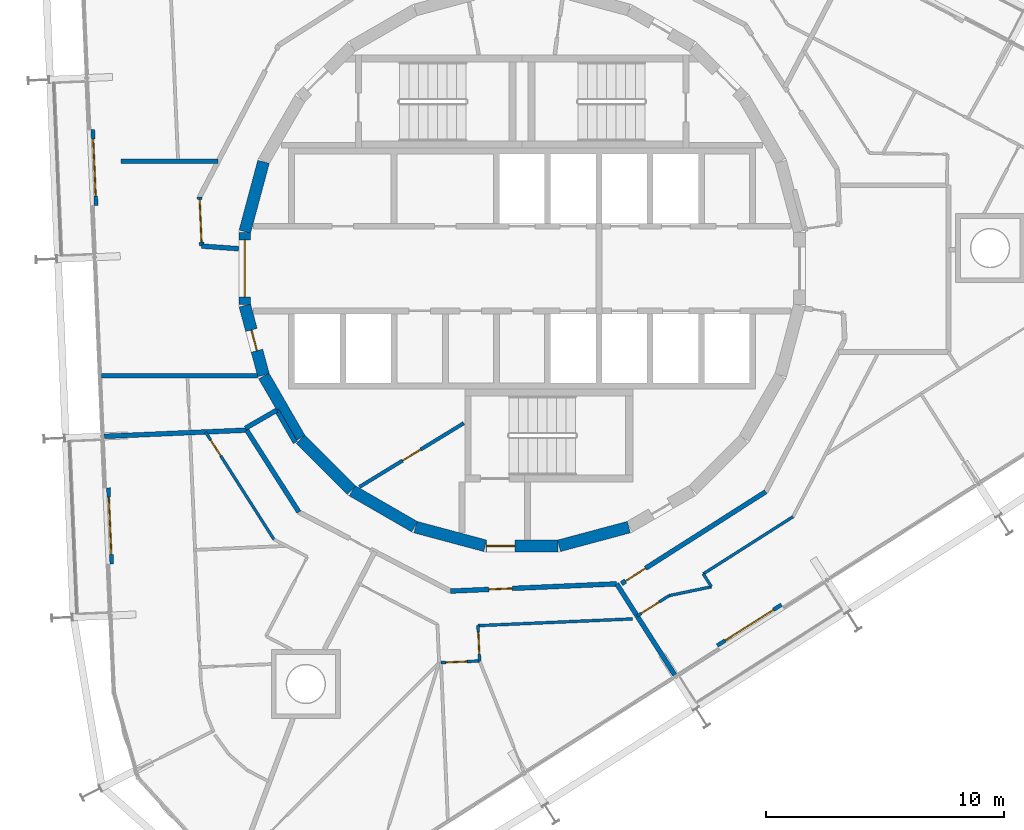
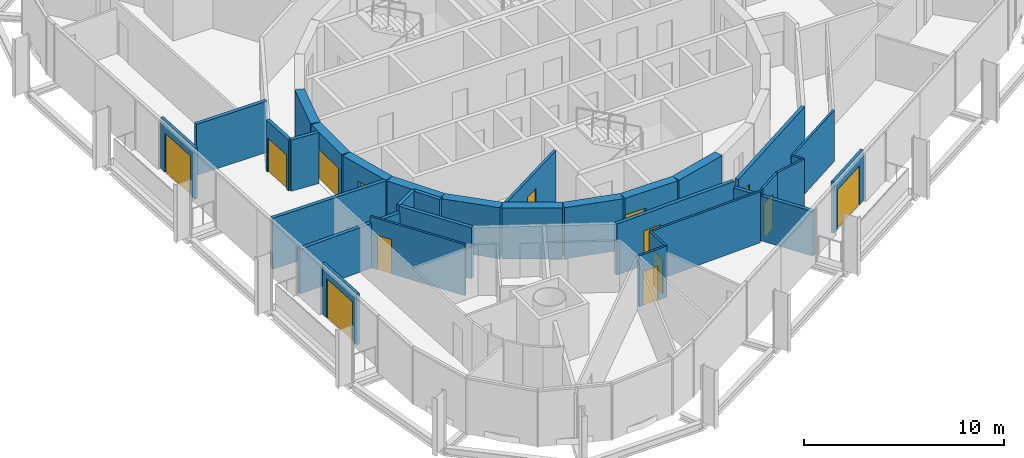
# One storey, part 12 of 17: 32 walls, 14 doors, 14 openings.
"""IFC4 building model written with IfcOpenShell, lengths in metres."""

from ifc_helpers import new_model, si_unit, direction, frame, frame_2d, origin, place, context, subcontext, project, spatial, rectangle, extrude, material, layer, layer_set, type_object, element, fill, save


model = new_model("IFC4")

# Units and contexts
model_context = context("Model", 3, precision=1e-05, world=origin(), true_north=direction((0.0, 1.0)))
body_context = subcontext(model_context, "Body", "Model", "MODEL_VIEW")
ifc_project = project(units=[si_unit("LENGTHUNIT", "METRE"), si_unit("AREAUNIT", "SQUARE_METRE"), si_unit("VOLUMEUNIT", "CUBIC_METRE"), si_unit("PLANEANGLEUNIT", "RADIAN"), si_unit("MASSUNIT", "GRAM", prefix="KILO")], contexts=[model_context])

# Site, building, storey
site_placement = place(None, origin())
site = spatial("IfcSite", under=ifc_project, at=site_placement, CompositionType="ELEMENT")
building_placement = place(site_placement, origin())
building = spatial("IfcBuilding", under=site, at=building_placement, Name="Spindle Arch Residences", CompositionType="ELEMENT")
storey_placement = place(building_placement, frame((0.0, 0.0, 237.199951171875)))
storey = spatial("IfcBuildingStorey", under=building, at=storey_placement, Name="L60", CompositionType="ELEMENT", Elevation=237.199951171875)

# Walls
ifc_material_1 = material(Name="Concrete C50/60", Category="concrete")
ifc_layer_1 = layer(ifc_material_1, 0.5)
ifc_layer_set_1 = layer_set([ifc_layer_1], Name="Core outline wall 500")
wall_type_1 = type_object("IfcWallType", Name="Core outline wall 500", PredefinedType="SHEAR", material=ifc_layer_set_1)
for number, where, z_axis, x_axis, name in (
    (1, (1.5498046875, -11.642822265625, 0.0), (0.0, 0.0, 1.0), (0.965948410781, 0.258734743916, 0.0), "Core outline wall 1"),
    (2, (-10.858154296875, 4.479248046875, 0.0), (0.0, 0.0, 1.0), (-0.258734743916, -0.965948410781, 0.0), "Core outline wall 17"),
):
    element("IfcWall", number, at=place(storey_placement, frame(where, z_axis=z_axis, x_axis=x_axis)), inside=storey, type_object=wall_type_1, Name=name, PredefinedType="SHEAR", context=body_context, shape_type="SweptSolid", body=[
        extrude(rectangle(XDim=3.03271484375, YDim=0.5, at=frame_2d((1.516357421875, 0.0))), origin(), (0.0, 0.0, 1.0), 3.1201171875),
    ])

# Wall, opening, door
wall_1_placement = place(storey_placement, frame((-11.647216796875, 1.516357421875, 0.0), z_axis=(0.0, 0.0, 1.0), x_axis=(0.0, -1.0, 0.0)))
wall_1 = element("IfcWall", 3, at=wall_1_placement, inside=storey, type_object=wall_type_1, Name="Core outline wall 18", PredefinedType="SHEAR", context=body_context, shape_type="SweptSolid", body=[
    extrude(rectangle(XDim=3.03271484375, YDim=0.5, at=frame_2d((1.516357421875, 0.0))), origin(), (0.0, 0.0, 1.0), 3.1201171875),
])
opening_1_placement = place(wall_1_placement, frame((0.31640625, 0.0, 0.0)))
opening_1 = element("IfcOpeningElement", 4, at=opening_1_placement, cuts=wall_1, Name="Opening R6B1-LE01", PredefinedType="OPENING", context=body_context, shape_type="SweptSolid", body=[
    extrude(rectangle(XDim=2.39990234375, YDim=2.10009765625, at=frame_2d((1.199951171875, 1.050048828125))), frame((0.0, 0.260009765625, 0.0), z_axis=(0.0, -1.0, 0.0), x_axis=(1.0, 0.0, 0.0)), (0.0, 0.0, 1.0), 0.52001953125),
])
ifc_material_2 = material(Name="Steel, fire-resisting door", Category="steel")
door_type_1 = type_object("IfcDoorType", Name="Lift lobby entrance door 2400x2100", OperationType="DOUBLE_DOOR_SINGLE_SWING", PredefinedType="DOOR", material=ifc_material_2)
door_1_placement = place(opening_1_placement, origin())
door_1 = element("IfcDoor", 5, at=door_1_placement, inside=storey, type_object=door_type_1, Name="Lift lobby entrance door R6B1-LE01", OperationType="DOUBLE_DOOR_SINGLE_SWING", OverallHeight=2.10009765625, OverallWidth=2.39990234375, PredefinedType="DOOR", context=body_context, shape_type="SweptSolid", body=[
    extrude(rectangle(XDim=2.39990234375, YDim=2.10009765625, at=frame_2d((1.199951171875, 1.050048828125))), frame((0.0, 0.02490234375, 0.0), z_axis=(0.0, -1.0, 0.0), x_axis=(1.0, 0.0, 0.0)), (0.0, 0.0, 1.0), 0.050048828125),
])
fill(opening_1, door_1)

wall_2_placement = place(storey_placement, frame((-11.642822265625, -1.5498046875, 0.0), z_axis=(0.0, 0.0, 1.0), x_axis=(0.258734743916, -0.965948410781, 0.0)))
wall_2 = element("IfcWall", 6, at=wall_2_placement, inside=storey, type_object=wall_type_1, Name="Core outline wall 19", PredefinedType="SHEAR", context=body_context, shape_type="SweptSolid", body=[
    extrude(rectangle(XDim=3.03271484375, YDim=0.5, at=frame_2d((1.516357421875, 0.0))), origin(), (0.0, 0.0, 1.0), 3.1201171875),
])
opening_2_placement = place(wall_2_placement, frame((1.06640625, 0.0, 0.0)))
opening_2 = element("IfcOpeningElement", 7, at=opening_2_placement, cuts=wall_2, Name="Opening R6B1-WD11", PredefinedType="OPENING", context=body_context, shape_type="SweptSolid", body=[
    extrude(rectangle(XDim=0.89990234375, YDim=2.10009765625, at=frame_2d((0.449951171875, 1.050048828125))), frame((0.0, 0.260009765625, 0.0), z_axis=(0.0, -1.0, 0.0), x_axis=(1.0, 0.0, 0.0)), (0.0, 0.0, 1.0), 0.52001953125),
])
ifc_material_3 = material(Name="Steel, fire-resisting door", Category="steel")
door_type_2 = type_object("IfcDoorType", Name="Service room door 900x2100", OperationType="SINGLE_SWING_LEFT", PredefinedType="DOOR", material=ifc_material_3)
door_2_placement = place(opening_2_placement, origin())
door_2 = element("IfcDoor", 8, at=door_2_placement, inside=storey, type_object=door_type_2, Name="Service room door R6B1-WD11", OperationType="SINGLE_SWING_LEFT", OverallHeight=2.10009765625, OverallWidth=0.89990234375, PredefinedType="DOOR", context=body_context, shape_type="SweptSolid", body=[
    extrude(rectangle(XDim=0.89990234375, YDim=2.10009765625, at=frame_2d((0.449951171875, 1.050048828125))), frame((0.0, 0.02490234375, 0.0), z_axis=(0.0, -1.0, 0.0), x_axis=(1.0, 0.0, 0.0)), (0.0, 0.0, 1.0), 0.050048828125),
])
fill(opening_2, door_2)

# Walls
wall_3_placement = place(storey_placement, frame((-10.84521484375, -4.510498046875, 0.0), z_axis=(0.0, 0.0, 1.0), x_axis=(0.500087131594, -0.865975092491, 0.0)))
element("IfcWall", 9, at=wall_3_placement, inside=storey, type_object=wall_type_1, Name="Core outline wall 20", PredefinedType="SHEAR", context=body_context, shape_type="SweptSolid", body=[
    extrude(rectangle(XDim=3.03271484375, YDim=0.5, at=frame_2d((1.516357421875, 0.0))), origin(), (0.0, 0.0, 1.0), 3.1201171875),
])
wall_4_placement = place(storey_placement, frame((-9.30810546875, -7.163818359375, 0.0), z_axis=(0.0, 0.0, 1.0), x_axis=(0.707106781187, -0.707106781187, 0.0)))
element("IfcWall", 10, at=wall_4_placement, inside=storey, type_object=wall_type_1, Name="Core outline wall 21", PredefinedType="SHEAR", context=body_context, shape_type="SweptSolid", body=[
    extrude(rectangle(XDim=3.032470703125, YDim=0.5, at=frame_2d((1.51611328125, 0.0))), origin(), (0.0, 0.0, 1.0), 3.1201171875),
])
for number, where, z_axis, x_axis, name in (
    (11, (-7.13671875, -9.32861328125, 0.0), (0.0, 0.0, 1.0), (0.865975092491, -0.500087131594, 0.0), "Core outline wall 22"),
    (12, (-4.479248046875, -10.858154296875, 0.0), (0.0, 0.0, 1.0), (0.965948410781, -0.258734743916, 0.0), "Core outline wall 23"),
):
    element("IfcWall", number, at=place(storey_placement, frame(where, z_axis=z_axis, x_axis=x_axis)), inside=storey, type_object=wall_type_1, Name=name, PredefinedType="SHEAR", context=body_context, shape_type="SweptSolid", body=[
        extrude(rectangle(XDim=3.03271484375, YDim=0.5, at=frame_2d((1.516357421875, 0.0))), origin(), (0.0, 0.0, 1.0), 3.1201171875),
    ])

# Wall, opening, door
wall_5_placement = place(storey_placement, frame((-1.516357421875, -11.647216796875, 0.0), z_axis=(0.0, 0.0, 1.0), x_axis=(1.0, 0.0, 0.0)))
wall_5 = element("IfcWall", 13, at=wall_5_placement, inside=storey, type_object=wall_type_1, Name="Core outline wall 24", PredefinedType="SHEAR", context=body_context, shape_type="SweptSolid", body=[
    extrude(rectangle(XDim=3.03271484375, YDim=0.5, at=frame_2d((1.516357421875, 0.0))), origin(), (0.0, 0.0, 1.0), 3.1201171875),
])
opening_3_placement = place(wall_5_placement, frame((0.016357421875, 0.0, 0.0)))
opening_3 = element("IfcOpeningElement", 14, at=opening_3_placement, cuts=wall_5, Name="Opening R6B1-AD03", PredefinedType="OPENING", context=body_context, shape_type="SweptSolid", body=[
    extrude(rectangle(XDim=1.199951171875, YDim=2.10009765625, at=frame_2d((0.60009765625, 1.050048828125))), frame((0.0, 0.260009765625, 0.0), z_axis=(0.0, -1.0, 0.0), x_axis=(1.0, 0.0, 0.0)), (0.0, 0.0, 1.0), 0.52001953125),
])
ifc_material_4 = material(Name="Steel, fire-resisting door", Category="steel")
door_type_3 = type_object("IfcDoorType", Name="Stair airlock door 1200x2100", OperationType="SINGLE_SWING_LEFT", PredefinedType="DOOR", material=ifc_material_4)
door_3_placement = place(opening_3_placement, origin())
door_3 = element("IfcDoor", 15, at=door_3_placement, inside=storey, type_object=door_type_3, Name="Stair airlock door R6B1-AD03", OperationType="SINGLE_SWING_RIGHT", OverallHeight=2.10009765625, OverallWidth=1.199951171875, PredefinedType="DOOR", context=body_context, shape_type="SweptSolid", body=[
    extrude(rectangle(XDim=1.199951171875, YDim=2.10009765625, at=frame_2d((0.60009765625, 1.050048828125))), frame((0.0, 0.02490234375, 0.0), z_axis=(0.0, -1.0, 0.0), x_axis=(1.0, 0.0, 0.0)), (0.0, 0.0, 1.0), 0.050048828125),
])
fill(opening_3, door_3)

# Walls
ifc_material_5 = material(Name="Calcium silicate block, plastered")
ifc_layer_2 = layer(ifc_material_5, 0.199951171875)
ifc_layer_set_2 = layer_set([ifc_layer_2], Name="Corridor wall 200")
wall_type_2 = type_object("IfcWallType", Name="Corridor wall 200", PredefinedType="STANDARD", material=ifc_layer_set_2)
wall_6_placement = place(storey_placement, frame((-10.303466796875, -5.94873046875, 0.0), z_axis=(0.0, 0.0, 1.0), x_axis=(-0.866043382451, -0.499968858743, 0.0)))
element("IfcWall", 16, at=wall_6_placement, inside=storey, type_object=wall_type_2, Name="Corridor wall R6B1-W016", PredefinedType="STANDARD", context=body_context, shape_type="SweptSolid", body=[
    extrude(rectangle(XDim=1.51513671875, YDim=0.199951171875, at=frame_2d((0.757568359375, 0.0))), origin(), (0.0, 0.0, 1.0), 3.1201171875),
])
wall_7_placement = place(storey_placement, frame((-9.520263671875, -7.30517578125, 0.0), z_axis=(0.0, 0.0, 1.0), x_axis=(-0.500028278809, 0.866009076391, 0.0)))
element("IfcWall", 17, at=wall_7_placement, inside=storey, type_object=wall_type_2, Name="Corridor wall R6B1-W017", PredefinedType="STANDARD", context=body_context, shape_type="SweptSolid", body=[
    extrude(rectangle(XDim=1.56640625, YDim=0.199951171875, at=frame_2d((0.783203125, 0.0))), origin(), (0.0, 0.0, 1.0), 3.1201171875),
])
wall_8_placement = place(storey_placement, frame((-11.565185546875, -6.785888671875, 0.0), z_axis=(0.0, 0.0, 1.0), x_axis=(0.537297327359, -0.843392898958, 0.0)))
element("IfcWall", 18, at=wall_8_placement, inside=storey, type_object=wall_type_2, Name="Corridor wall R6B1-W018", PredefinedType="STANDARD", context=body_context, shape_type="SweptSolid", body=[
    extrude(rectangle(XDim=4.081298828125, YDim=0.199951171875, at=frame_2d((2.04052734375, 0.0))), origin(), (0.0, 0.0, 1.0), 3.1201171875),
])

# Wall, opening, door
wall_9_placement = place(storey_placement, frame((-3.002685546875, -13.5439453125, 0.0), z_axis=(0.0, 0.0, 1.0), x_axis=(0.999048221872, 0.043619380718, 0.0)))
wall_9 = element("IfcWall", 19, at=wall_9_placement, inside=storey, type_object=wall_type_2, Name="Corridor wall R6B1-W020", PredefinedType="STANDARD", context=body_context, shape_type="SweptSolid", body=[
    extrude(rectangle(XDim=6.9794921875, YDim=0.199951171875, at=frame_2d((3.48974609375, 0.0))), origin(), (0.0, 0.0, 1.0), 3.1201171875),
])
opening_4_placement = place(wall_9_placement, frame((1.60009765625, 0.0, 0.0)))
opening_4 = element("IfcOpeningElement", 20, at=opening_4_placement, cuts=wall_9, Name="Opening R6B1-FD05", PredefinedType="OPENING", context=body_context, shape_type="SweptSolid", body=[
    extrude(rectangle(XDim=1.0, YDim=2.10009765625, at=frame_2d((0.5, 1.050048828125))), frame((0.0, 0.10986328125, 0.0), z_axis=(0.0, -1.0, 0.0), x_axis=(1.0, 0.0, 0.0)), (0.0, 0.0, 1.0), 0.219970703125),
])
ifc_material_6 = material(Name="Timber, fire-resisting door set", Category="wood")
door_type_4 = type_object("IfcDoorType", Name="Flat entrance door 1000x2100", OperationType="NOTDEFINED", PredefinedType="DOOR", material=ifc_material_6)
door_4_placement = place(opening_4_placement, origin())
door_4 = element("IfcDoor", 21, at=door_4_placement, inside=storey, type_object=door_type_4, Name="Flat entrance door R6B1-FD05", OperationType="SINGLE_SWING_LEFT", OverallHeight=2.10009765625, OverallWidth=1.0, PredefinedType="DOOR", context=body_context, shape_type="SweptSolid", body=[
    extrude(rectangle(XDim=1.0, YDim=2.10009765625, at=frame_2d((0.5, 1.050048828125))), frame((0.0, 0.02490234375, 0.0), z_axis=(0.0, -1.0, 0.0), x_axis=(1.0, 0.0, 0.0)), (0.0, 0.0, 1.0), 0.050048828125),
])
fill(opening_4, door_4)

wall_10_placement = place(storey_placement, frame((4.171630859375, -13.230712890625, 0.0), z_axis=(0.0, 0.0, 1.0), x_axis=(0.843388394728, 0.537304397561, 0.0)))
wall_10 = element("IfcWall", 22, at=wall_10_placement, inside=storey, type_object=wall_type_2, Name="Corridor wall R6B1-W021", PredefinedType="STANDARD", context=body_context, shape_type="SweptSolid", body=[
    extrude(rectangle(XDim=7.180908203125, YDim=0.199951171875, at=frame_2d((3.59033203125, 0.0))), origin(), (0.0, 0.0, 1.0), 3.1201171875),
])
opening_5_placement = place(wall_10_placement, frame((0.199951171875, 0.0, 0.0)))
opening_5 = element("IfcOpeningElement", 23, at=opening_5_placement, cuts=wall_10, Name="Opening R6B1-FD06", PredefinedType="OPENING", context=body_context, shape_type="SweptSolid", body=[
    extrude(rectangle(XDim=1.0, YDim=2.10009765625, at=frame_2d((0.5, 1.050048828125))), frame((0.0, 0.10986328125, 0.0), z_axis=(0.0, -1.0, 0.0), x_axis=(1.0, 0.0, 0.0)), (0.0, 0.0, 1.0), 0.219970703125),
])
door_5_placement = place(opening_5_placement, origin())
door_5 = element("IfcDoor", 24, at=door_5_placement, inside=storey, type_object=door_type_4, Name="Flat entrance door R6B1-FD06", OperationType="SINGLE_SWING_LEFT", OverallHeight=2.10009765625, OverallWidth=1.0, PredefinedType="DOOR", context=body_context, shape_type="SweptSolid", body=[
    extrude(rectangle(XDim=1.0, YDim=2.10009765625, at=frame_2d((0.5, 1.050048828125))), frame((0.0, 0.02490234375, 0.0), z_axis=(0.0, -1.0, 0.0), x_axis=(1.0, 0.0, 0.0)), (0.0, 0.0, 1.0), 0.050048828125),
])
fill(opening_5, door_5)

ifc_material_7 = material(Name="Plasterboard on steel studs", Category="steel")
ifc_layer_3 = layer(ifc_material_7, 0.1201171875)
ifc_layer_set_3 = layer_set([ifc_layer_3], Name="Flat partition 120")
wall_type_3 = type_object("IfcWallType", Name="Flat partition 120", PredefinedType="PARTITIONING", material=ifc_layer_set_3)
wall_11_placement = place(storey_placement, frame((-13.29541015625, -6.861572265625, 0.0), z_axis=(0.0, 0.0, 1.0), x_axis=(0.537285929223, -0.84340016022, 0.0)))
wall_11 = element("IfcWall", 25, at=wall_11_placement, inside=storey, type_object=wall_type_3, Name="Flat partition R6B1-W072", PredefinedType="PARTITIONING", context=body_context, shape_type="SweptSolid", body=[
    extrude(rectangle(XDim=5.34912109375, YDim=0.1201171875, at=frame_2d((2.674560546875, 0.0))), origin(), (0.0, 0.0, 1.0), 3.1201171875),
])
opening_6_placement = place(wall_11_placement, frame((0.39990234375, 0.0, 0.0)))
opening_6 = element("IfcOpeningElement", 26, at=opening_6_placement, cuts=wall_11, Name="Opening R6B1-BD04", PredefinedType="OPENING", context=body_context, shape_type="SweptSolid", body=[
    extrude(rectangle(XDim=0.800048828125, YDim=2.10009765625, at=frame_2d((0.39990234375, 1.050048828125))), frame((0.0, 0.070068359375, 0.0), z_axis=(0.0, -1.0, 0.0), x_axis=(1.0, 0.0, 0.0)), (0.0, 0.0, 1.0), 0.14013671875),
])
ifc_material_8 = material(Name="Timber door set", Category="wood")
door_type_5 = type_object("IfcDoorType", Name="Bathroom door 800x2100", OperationType="NOTDEFINED", PredefinedType="DOOR", material=ifc_material_8)
door_6_placement = place(opening_6_placement, origin())
door_6 = element("IfcDoor", 27, at=door_6_placement, inside=storey, type_object=door_type_5, Name="Bathroom door R6B1-BD04", OperationType="SINGLE_SWING_RIGHT", OverallHeight=2.10009765625, OverallWidth=0.800048828125, PredefinedType="DOOR", context=body_context, shape_type="SweptSolid", body=[
    extrude(rectangle(XDim=0.800048828125, YDim=2.10009765625, at=frame_2d((0.39990234375, 1.050048828125))), frame((0.0, 0.02490234375, 0.0), z_axis=(0.0, -1.0, 0.0), x_axis=(1.0, 0.0, 0.0)), (0.0, 0.0, 1.0), 0.050048828125),
])
fill(opening_6, door_6)

wall_12_placement = place(storey_placement, frame((-3.40673828125, -16.54833984375, 0.0), z_axis=(0.0, 0.0, 1.0), x_axis=(0.999045901572, 0.043672491929, 0.0)))
wall_12 = element("IfcWall", 28, at=wall_12_placement, inside=storey, type_object=wall_type_3, Name="Flat partition R6B1-W086", PredefinedType="PARTITIONING", context=body_context, shape_type="SweptSolid", body=[
    extrude(rectangle(XDim=1.62109375, YDim=0.1201171875, at=frame_2d((0.810546875, 0.0))), origin(), (0.0, 0.0, 1.0), 3.1201171875),
])
opening_7_placement = place(wall_12_placement, frame((0.199951171875, 0.0, 0.0)))
opening_7 = element("IfcOpeningElement", 29, at=opening_7_placement, cuts=wall_12, Name="Opening R6B1-ID19", PredefinedType="OPENING", context=body_context, shape_type="SweptSolid", body=[
    extrude(rectangle(XDim=0.89990234375, YDim=2.10009765625, at=frame_2d((0.449951171875, 1.050048828125))), frame((0.0, 0.070068359375, 0.0), z_axis=(0.0, -1.0, 0.0), x_axis=(1.0, 0.0, 0.0)), (0.0, 0.0, 1.0), 0.14013671875),
])
ifc_material_9 = material(Name="Timber door set", Category="wood")
door_type_6 = type_object("IfcDoorType", Name="Room door 900x2100", OperationType="NOTDEFINED", PredefinedType="DOOR", material=ifc_material_9)
door_7_placement = place(opening_7_placement, origin())
door_7 = element("IfcDoor", 30, at=door_7_placement, inside=storey, type_object=door_type_6, Name="Room door R6B1-ID19", OperationType="SINGLE_SWING_LEFT", OverallHeight=2.10009765625, OverallWidth=0.89990234375, PredefinedType="DOOR", context=body_context, shape_type="SweptSolid", body=[
    extrude(rectangle(XDim=0.89990234375, YDim=2.10009765625, at=frame_2d((0.449951171875, 1.050048828125))), frame((0.0, 0.02490234375, 0.0), z_axis=(0.0, -1.0, 0.0), x_axis=(1.0, 0.0, 0.0)), (0.0, 0.0, 1.0), 0.050048828125),
])
fill(opening_7, door_7)

wall_13_placement = place(storey_placement, frame((-1.787109375, -16.4775390625, 0.0), z_axis=(0.0, 0.0, 1.0), x_axis=(-0.043601447011, 0.999049004713, 0.0)))
wall_13 = element("IfcWall", 31, at=wall_13_placement, inside=storey, type_object=wall_type_3, Name="Flat partition R6B1-W087", PredefinedType="PARTITIONING", context=body_context, shape_type="SweptSolid", body=[
    extrude(rectangle(XDim=1.48388671875, YDim=0.1201171875, at=frame_2d((0.741943359375, 0.0))), origin(), (0.0, 0.0, 1.0), 3.1201171875),
])
opening_8_placement = place(wall_13_placement, frame((0.300048828125, 0.0, 0.0)))
opening_8 = element("IfcOpeningElement", 32, at=opening_8_placement, cuts=wall_13, Name="Opening R6B1-ID20", PredefinedType="OPENING", context=body_context, shape_type="SweptSolid", body=[
    extrude(rectangle(XDim=0.89990234375, YDim=2.10009765625, at=frame_2d((0.449951171875, 1.050048828125))), frame((0.0, 0.070068359375, 0.0), z_axis=(0.0, -1.0, 0.0), x_axis=(1.0, 0.0, 0.0)), (0.0, 0.0, 1.0), 0.14013671875),
])
door_8_placement = place(opening_8_placement, origin())
door_8 = element("IfcDoor", 33, at=door_8_placement, inside=storey, type_object=door_type_6, Name="Room door R6B1-ID20", OperationType="SINGLE_SWING_LEFT", OverallHeight=2.10009765625, OverallWidth=0.89990234375, PredefinedType="DOOR", context=body_context, shape_type="SweptSolid", body=[
    extrude(rectangle(XDim=0.89990234375, YDim=2.10009765625, at=frame_2d((0.449951171875, 1.050048828125))), frame((0.0, 0.02490234375, 0.0), z_axis=(0.0, -1.0, 0.0), x_axis=(1.0, 0.0, 0.0)), (0.0, 0.0, 1.0), 0.050048828125),
])
fill(opening_8, door_8)

# Wall
wall_14_placement = place(storey_placement, frame((-1.851806640625, -14.9951171875, 0.0), z_axis=(0.0, 0.0, 1.0), x_axis=(0.999047773092, 0.043629658249, 0.0)))
element("IfcWall", 34, at=wall_14_placement, inside=storey, type_object=wall_type_3, Name="Flat partition R6B1-W088", PredefinedType="PARTITIONING", context=body_context, shape_type="SweptSolid", body=[
    extrude(rectangle(XDim=6.49658203125, YDim=0.1201171875, at=frame_2d((3.248291015625, 0.0))), origin(), (0.0, 0.0, 1.0), 3.1201171875),
])

# Wall, opening, door
wall_15_placement = place(storey_placement, frame((4.830322265625, -14.589599609375, 0.0), z_axis=(0.0, 0.0, 1.0), x_axis=(0.843395898817, 0.537292618467, 0.0)))
wall_15 = element("IfcWall", 35, at=wall_15_placement, inside=storey, type_object=wall_type_3, Name="Flat partition R6B1-W093", PredefinedType="PARTITIONING", context=body_context, shape_type="SweptSolid", body=[
    extrude(rectangle(XDim=1.59033203125, YDim=0.1201171875, at=frame_2d((0.795166015625, 0.0))), origin(), (0.0, 0.0, 1.0), 3.1201171875),
])
opening_9_placement = place(wall_15_placement, frame((0.199951171875, 0.0, 0.0)))
opening_9 = element("IfcOpeningElement", 36, at=opening_9_placement, cuts=wall_15, Name="Opening R6B1-ID23", PredefinedType="OPENING", context=body_context, shape_type="SweptSolid", body=[
    extrude(rectangle(XDim=0.89990234375, YDim=2.10009765625, at=frame_2d((0.449951171875, 1.050048828125))), frame((0.0, 0.070068359375, 0.0), z_axis=(0.0, -1.0, 0.0), x_axis=(1.0, 0.0, 0.0)), (0.0, 0.0, 1.0), 0.14013671875),
])
door_9_placement = place(opening_9_placement, origin())
door_9 = element("IfcDoor", 37, at=door_9_placement, inside=storey, type_object=door_type_6, Name="Room door R6B1-ID23", OperationType="SINGLE_SWING_LEFT", OverallHeight=2.10009765625, OverallWidth=0.89990234375, PredefinedType="DOOR", context=body_context, shape_type="SweptSolid", body=[
    extrude(rectangle(XDim=0.89990234375, YDim=2.10009765625, at=frame_2d((0.449951171875, 1.050048828125))), frame((0.0, 0.02490234375, 0.0), z_axis=(0.0, -1.0, 0.0), x_axis=(1.0, 0.0, 0.0)), (0.0, 0.0, 1.0), 0.050048828125),
])
fill(opening_9, door_9)

# Walls
wall_16_placement = place(storey_placement, frame((6.171630859375, -13.735107421875, 0.0), z_axis=(0.0, 0.0, 1.0), x_axis=(0.978659442958, 0.205488916271, 0.0)))
element("IfcWall", 38, at=wall_16_placement, inside=storey, type_object=wall_type_3, Name="Flat partition R6B1-W094", PredefinedType="PARTITIONING", context=body_context, shape_type="SweptSolid", body=[
    extrude(rectangle(XDim=1.816650390625, YDim=0.1201171875, at=frame_2d((0.908203125, 0.0))), origin(), (0.0, 0.0, 1.0), 3.1201171875),
])
wall_17_placement = place(storey_placement, frame((7.949462890625, -13.36181640625, 0.0), z_axis=(0.0, 0.0, 1.0), x_axis=(-0.537343932066, 0.843363206852, 0.0)))
element("IfcWall", 39, at=wall_17_placement, inside=storey, type_object=wall_type_3, Name="Flat partition R6B1-W095", PredefinedType="PARTITIONING", context=body_context, shape_type="SweptSolid", body=[
    extrude(rectangle(XDim=0.640625, YDim=0.1201171875, at=frame_2d((0.3203125, 0.0))), origin(), (0.0, 0.0, 1.0), 3.1201171875),
])
wall_18_placement = place(storey_placement, frame((7.605224609375, -12.821533203125, 0.0), z_axis=(0.0, 0.0, 1.0), x_axis=(0.843413865585, 0.537264414733, 0.0)))
element("IfcWall", 40, at=wall_18_placement, inside=storey, type_object=wall_type_3, Name="Flat partition R6B1-W096", PredefinedType="PARTITIONING", context=body_context, shape_type="SweptSolid", body=[
    extrude(rectangle(XDim=4.46728515625, YDim=0.1201171875, at=frame_2d((2.233642578125, 0.0))), origin(), (0.0, 0.0, 1.0), 3.1201171875),
])
ifc_material_10 = material(Name="Calcium silicate block, plastered")
ifc_layer_4 = layer(ifc_material_10, 0.199951171875)
ifc_layer_set_4 = layer_set([ifc_layer_4], Name="Flat party wall 200 under beam 2730")
wall_type_4 = type_object("IfcWallType", Name="Flat party wall 200 under beam 2730", PredefinedType="STANDARD", material=ifc_layer_set_4)
wall_19_placement = place(storey_placement, frame((-17.543701171875, -7.047119140625, 0.0), z_axis=(0.0, 0.0, 1.0), x_axis=(0.999046743906, 0.043653218555, 0.0)))
element("IfcWall", 41, at=wall_19_placement, inside=storey, type_object=wall_type_4, Name="Flat party wall R6B1-W033", PredefinedType="STANDARD", context=body_context, shape_type="SweptSolid", body=[
    extrude(rectangle(XDim=5.984130859375, YDim=0.199951171875, at=frame_2d((2.9921875, 0.0))), origin(), (0.0, 0.0, 1.0), 2.72998046875),
])
wall_20_placement = place(storey_placement, frame((6.406982421875, -17.064208984375, 0.0), z_axis=(0.0, 0.0, 1.0), x_axis=(-0.537324777979, 0.843375410461, 0.0)))
element("IfcWall", 42, at=wall_20_placement, inside=storey, type_object=wall_type_4, Name="Flat party wall R6B1-W036", PredefinedType="STANDARD", context=body_context, shape_type="SweptSolid", body=[
    extrude(rectangle(XDim=4.534912109375, YDim=0.199951171875, at=frame_2d((2.267578125, 0.0))), origin(), (0.0, 0.0, 1.0), 2.72998046875),
])

# Wall, opening, door
ifc_material_11 = material(Name="Non-combustible mineral wool insulated aluminium faced external wall (K0)", Category="aluminium")
ifc_layer_5 = layer(ifc_material_11, 0.159912109375)
ifc_layer_set_5 = layer_set([ifc_layer_5], Name="Insulated external wall panel 160")
wall_type_5 = type_object("IfcWallType", Name="Insulated external wall panel 160", PredefinedType="STANDARD", material=ifc_layer_set_5)
wall_21_placement = place(storey_placement, frame((-18.026123046875, 5.83935546875, 0.0), z_axis=(0.0, 0.0, 1.0), x_axis=(0.043563034632, -0.999050680403, 0.0)))
wall_21 = element("IfcWall", 43, at=wall_21_placement, inside=storey, type_object=wall_type_5, Name="External wall L60 bay 14", PredefinedType="STANDARD", context=body_context, shape_type="SweptSolid", body=[
    extrude(rectangle(XDim=3.199951171875, YDim=0.159912109375, at=frame_2d((1.60009765625, 0.0))), origin(), (0.0, 0.0, 1.0), 3.1201171875),
])
opening_10_placement = place(wall_21_placement, frame((0.39990234375, 0.0, 0.0)))
opening_10 = element("IfcOpeningElement", 44, at=opening_10_placement, cuts=wall_21, Name="Opening BD14", PredefinedType="OPENING", context=body_context, shape_type="SweptSolid", body=[
    extrude(rectangle(XDim=2.39990234375, YDim=2.39990234375, at=frame_2d((1.199951171875, 1.199951171875))), frame((0.0, 0.08984375, 0.0), z_axis=(0.0, -1.0, 0.0), x_axis=(1.0, 0.0, 0.0)), (0.0, 0.0, 1.0), 0.179931640625),
])
ifc_material_12 = material(Name="Bronze aluminium frame, tinted double glazing", Category="aluminium")
door_type_7 = type_object("IfcDoorType", Name="Sliding glazed balcony door 2400x2400", OperationType="DOUBLE_DOOR_SLIDING", PredefinedType="DOOR", material=ifc_material_12)
door_10_placement = place(opening_10_placement, origin())
door_10 = element("IfcDoor", 45, at=door_10_placement, inside=storey, type_object=door_type_7, Name="Balcony door BD14", OperationType="DOUBLE_DOOR_SLIDING", OverallHeight=2.39990234375, OverallWidth=2.39990234375, PredefinedType="DOOR", context=body_context, shape_type="SweptSolid", body=[
    extrude(rectangle(XDim=2.39990234375, YDim=2.39990234375, at=frame_2d((1.199951171875, 1.199951171875))), frame((0.0, 0.02490234375, 0.0), z_axis=(0.0, -1.0, 0.0), x_axis=(1.0, 0.0, 0.0)), (0.0, 0.0, 1.0), 0.050048828125),
])
fill(opening_10, door_10)

wall_22_placement = place(storey_placement, frame((-17.369384765625, -9.20654296875, 0.0), z_axis=(0.0, 0.0, 1.0), x_axis=(0.043639181999, -0.999047357133, 0.0)))
wall_22 = element("IfcWall", 46, at=wall_22_placement, inside=storey, type_object=wall_type_5, Name="External wall L60 bay 16", PredefinedType="STANDARD", context=body_context, shape_type="SweptSolid", body=[
    extrude(rectangle(XDim=3.199951171875, YDim=0.159912109375, at=frame_2d((1.60009765625, 0.0))), origin(), (0.0, 0.0, 1.0), 3.1201171875),
])
opening_11_placement = place(wall_22_placement, frame((0.39990234375, 0.0, 0.0)))
opening_11 = element("IfcOpeningElement", 47, at=opening_11_placement, cuts=wall_22, Name="Opening BD16", PredefinedType="OPENING", context=body_context, shape_type="SweptSolid", body=[
    extrude(rectangle(XDim=2.39990234375, YDim=2.39990234375, at=frame_2d((1.199951171875, 1.199951171875))), frame((0.0, 0.08984375, 0.0), z_axis=(0.0, -1.0, 0.0), x_axis=(1.0, 0.0, 0.0)), (0.0, 0.0, 1.0), 0.179931640625),
])
door_11_placement = place(opening_11_placement, origin())
door_11 = element("IfcDoor", 48, at=door_11_placement, inside=storey, type_object=door_type_7, Name="Balcony door BD16", OperationType="DOUBLE_DOOR_SLIDING", OverallHeight=2.39990234375, OverallWidth=2.39990234375, PredefinedType="DOOR", context=body_context, shape_type="SweptSolid", body=[
    extrude(rectangle(XDim=2.39990234375, YDim=2.39990234375, at=frame_2d((1.199951171875, 1.199951171875))), frame((0.0, 0.02490234375, 0.0), z_axis=(0.0, -1.0, 0.0), x_axis=(1.0, 0.0, 0.0)), (0.0, 0.0, 1.0), 0.050048828125),
])
fill(opening_11, door_11)

wall_23_placement = place(storey_placement, frame((8.18994140625, -15.83349609375, 0.0), z_axis=(0.0, 0.0, 1.0), x_axis=(0.843419508298, 0.53725555653, 0.0)))
wall_23 = element("IfcWall", 49, at=wall_23_placement, inside=storey, type_object=wall_type_5, Name="External wall L60 bay 22", PredefinedType="STANDARD", context=body_context, shape_type="SweptSolid", body=[
    extrude(rectangle(XDim=3.199951171875, YDim=0.159912109375, at=frame_2d((1.60009765625, 0.0))), origin(), (0.0, 0.0, 1.0), 3.1201171875),
])
opening_12_placement = place(wall_23_placement, frame((0.39990234375, 0.0, 0.0)))
opening_12 = element("IfcOpeningElement", 50, at=opening_12_placement, cuts=wall_23, Name="Opening BD22", PredefinedType="OPENING", context=body_context, shape_type="SweptSolid", body=[
    extrude(rectangle(XDim=2.39990234375, YDim=2.39990234375, at=frame_2d((1.199951171875, 1.199951171875))), frame((0.0, 0.08984375, 0.0), z_axis=(0.0, -1.0, 0.0), x_axis=(1.0, 0.0, 0.0)), (0.0, 0.0, 1.0), 0.179931640625),
])
door_12_placement = place(opening_12_placement, origin())
door_12 = element("IfcDoor", 51, at=door_12_placement, inside=storey, type_object=door_type_7, Name="Balcony door BD22", OperationType="DOUBLE_DOOR_SLIDING", OverallHeight=2.39990234375, OverallWidth=2.39990234375, PredefinedType="DOOR", context=body_context, shape_type="SweptSolid", body=[
    extrude(rectangle(XDim=2.39990234375, YDim=2.39990234375, at=frame_2d((1.199951171875, 1.199951171875))), frame((0.0, 0.02490234375, 0.0), z_axis=(0.0, -1.0, 0.0), x_axis=(1.0, 0.0, 0.0)), (0.0, 0.0, 1.0), 0.050048828125),
])
fill(opening_12, door_12)

ifc_material_13 = material(Name="Calcium silicate block, plastered")
ifc_layer_6 = layer(ifc_material_13, 0.199951171875)
ifc_layer_set_6 = layer_set([ifc_layer_6], Name="Lift lobby bay wall 200")
wall_type_6 = type_object("IfcWallType", Name="Lift lobby bay wall 200", PredefinedType="STANDARD", material=ifc_layer_set_6)
wall_24_placement = place(storey_placement, frame((-13.5439453125, 3.002685546875, 0.0), z_axis=(0.0, 0.0, 1.0), x_axis=(0.043652842459, -0.99904676034, 0.0)))
wall_24 = element("IfcWall", 52, at=wall_24_placement, inside=storey, type_object=wall_type_6, Name="Lift lobby bay wall R6B1-W008", PredefinedType="STANDARD", context=body_context, shape_type="SweptSolid", body=[
    extrude(rectangle(XDim=2.063720703125, YDim=0.199951171875, at=frame_2d((1.03173828125, 0.0))), origin(), (0.0, 0.0, 1.0), 3.1201171875),
])
opening_13_placement = place(wall_24_placement, frame((0.10009765625, 0.0, 0.0)))
opening_13 = element("IfcOpeningElement", 53, at=opening_13_placement, cuts=wall_24, Name="Opening R6B1-LB01", PredefinedType="OPENING", context=body_context, shape_type="SweptSolid", body=[
    extrude(rectangle(XDim=1.800048828125, YDim=2.10009765625, at=frame_2d((0.89990234375, 1.050048828125))), frame((0.0, 0.10986328125, 0.0), z_axis=(0.0, -1.0, 0.0), x_axis=(1.0, 0.0, 0.0)), (0.0, 0.0, 1.0), 0.219970703125),
])
ifc_material_14 = material(Name="Steel, fire-resisting door", Category="steel")
door_type_8 = type_object("IfcDoorType", Name="Lift lobby bay door 1800x2100", OperationType="NOTDEFINED", PredefinedType="DOOR", material=ifc_material_14)
door_13_placement = place(opening_13_placement, origin())
door_13 = element("IfcDoor", 54, at=door_13_placement, inside=storey, type_object=door_type_8, Name="Lift lobby bay door R6B1-LB01", OperationType="DOUBLE_DOOR_SINGLE_SWING", OverallHeight=2.10009765625, OverallWidth=1.800048828125, PredefinedType="DOOR", context=body_context, shape_type="SweptSolid", body=[
    extrude(rectangle(XDim=1.800048828125, YDim=2.10009765625, at=frame_2d((0.89990234375, 1.050048828125))), frame((0.0, 0.02490234375, 0.0), z_axis=(0.0, -1.0, 0.0), x_axis=(1.0, 0.0, 0.0)), (0.0, 0.0, 1.0), 0.050048828125),
])
fill(opening_13, door_13)

# Walls
wall_25_placement = place(storey_placement, frame((-13.453857421875, 0.94091796875, 0.0), z_axis=(0.0, 0.0, 1.0), x_axis=(0.99755155062, -0.069934997354, 0.0)))
element("IfcWall", 55, at=wall_25_placement, inside=storey, type_object=wall_type_6, Name="Lift lobby bay wall R6B1-W009", PredefinedType="STANDARD", context=body_context, shape_type="SweptSolid", body=[
    extrude(rectangle(XDim=1.560546875, YDim=0.199951171875, at=frame_2d((0.7802734375, 0.0))), origin(), (0.0, 0.0, 1.0), 3.1201171875),
])
wall_26_placement = place(storey_placement, frame((-12.764404296875, 4.5, 0.0), z_axis=(0.0, 0.0, 1.0), x_axis=(-1.0, 0.0, 0.0)))
element("IfcWall", 56, at=wall_26_placement, inside=storey, type_object=wall_type_6, Name="Lift lobby bay wall R6B1-W022", PredefinedType="STANDARD", context=body_context, shape_type="SweptSolid", body=[
    extrude(rectangle(XDim=4.085693359375, YDim=0.199951171875, at=frame_2d((2.04296875, 0.0))), origin(), (0.0, 0.0, 1.0), 3.1201171875),
])
wall_27_placement = place(storey_placement, frame((-17.65478515625, -4.5, 0.0), z_axis=(0.0, 0.0, 1.0), x_axis=(1.0, 0.0, 0.0)))
element("IfcWall", 57, at=wall_27_placement, inside=storey, type_object=wall_type_6, Name="Lift lobby bay wall R6B1-W023", PredefinedType="STANDARD", context=body_context, shape_type="SweptSolid", body=[
    extrude(rectangle(XDim=6.54345703125, YDim=0.199951171875, at=frame_2d((3.271728515625, 0.0))), origin(), (0.0, 0.0, 1.0), 3.1201171875),
])

# Wall, opening, door
ifc_material_15 = material(Name="Concrete C25/30", Category="concrete")
ifc_layer_7 = layer(ifc_material_15, 0.14990234375)
ifc_layer_set_7 = layer_set([ifc_layer_7], Name="Service room partition 150")
wall_type_7 = type_object("IfcWallType", Name="Service room partition 150", PredefinedType="PARTITIONING", material=ifc_layer_set_7)
wall_28_placement = place(storey_placement, frame((-2.451171875, -6.49462890625, 0.0), z_axis=(0.0, 0.0, 1.0), x_axis=(-0.853250115418, -0.521501908471, 0.0)))
wall_28 = element("IfcWall", 58, at=wall_28_placement, inside=storey, type_object=wall_type_7, Name="Core service room partition", PredefinedType="PARTITIONING", context=body_context, shape_type="SweptSolid", body=[
    extrude(rectangle(XDim=5.137451171875, YDim=0.14990234375, at=frame_2d((2.56884765625, 0.0))), origin(), (0.0, 0.0, 1.0), 3.1201171875),
])
opening_14_placement = place(wall_28_placement, frame((2.11865234375, 0.0, 0.0)))
opening_14 = element("IfcOpeningElement", 59, at=opening_14_placement, cuts=wall_28, Name="Opening R6B1-WD07", PredefinedType="OPENING", context=body_context, shape_type="SweptSolid", body=[
    extrude(rectangle(XDim=0.89990234375, YDim=2.10009765625, at=frame_2d((0.449951171875, 1.050048828125))), frame((0.0, 0.0849609375, 0.0), z_axis=(0.0, -1.0, 0.0), x_axis=(1.0, 0.0, 0.0)), (0.0, 0.0, 1.0), 0.169921875),
])
door_14_placement = place(opening_14_placement, origin())
door_14 = element("IfcDoor", 60, at=door_14_placement, inside=storey, type_object=door_type_2, Name="Service room door R6B1-WD07", OperationType="SINGLE_SWING_LEFT", OverallHeight=2.10009765625, OverallWidth=0.89990234375, PredefinedType="DOOR", context=body_context, shape_type="SweptSolid", body=[
    extrude(rectangle(XDim=0.89990234375, YDim=2.10009765625, at=frame_2d((0.449951171875, 1.050048828125))), frame((0.0, 0.02490234375, 0.0), z_axis=(0.0, -1.0, 0.0), x_axis=(1.0, 0.0, 0.0)), (0.0, 0.0, 1.0), 0.050048828125),
])
fill(opening_14, door_14)

save(model, "model.ifc")
